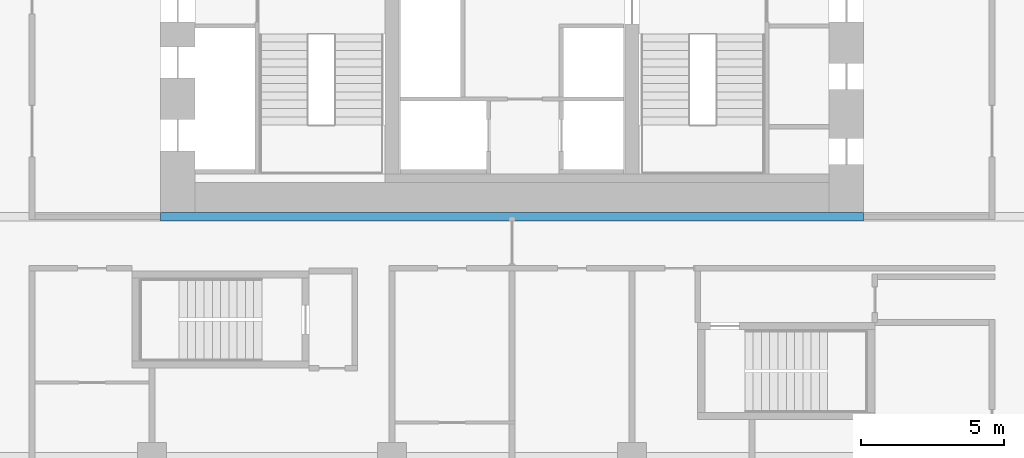
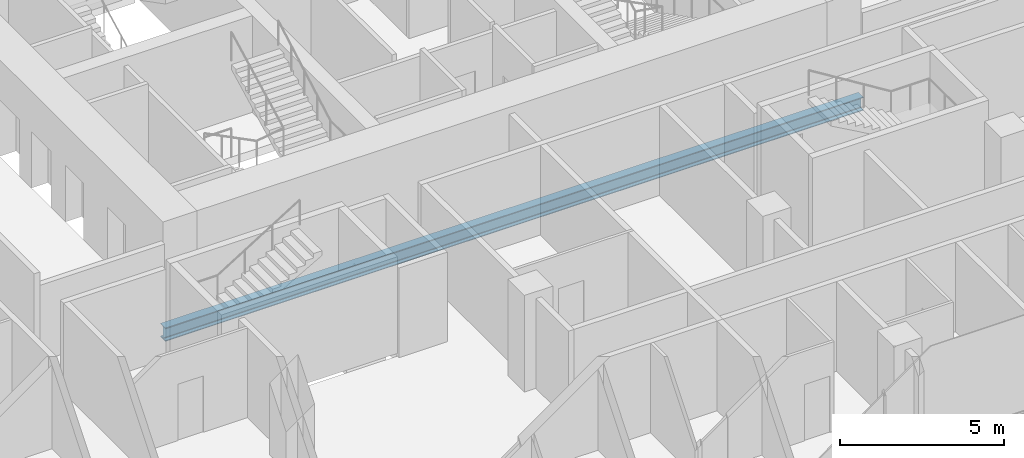
# One storey, part 5 of 26: 1 beam.
"""IFC4 building model written with IfcOpenShell, lengths in metres."""

from ifc_helpers import new_model, si_unit, direction, frame, origin, origin_2d, place, context, subcontext, project, spatial, i_section, extrude, material, material_profile, profile_set, type_object, element, save


model = new_model("IFC4")

# Units and contexts
model_context = context("Model", 3, precision=1e-05, world=origin(), true_north=direction((0.0, 1.0)))
body_context = subcontext(model_context, "Body", "Model", "MODEL_VIEW")
ifc_project = project(units=[si_unit("LENGTHUNIT", "METRE"), si_unit("AREAUNIT", "SQUARE_METRE"), si_unit("VOLUMEUNIT", "CUBIC_METRE"), si_unit("PLANEANGLEUNIT", "RADIAN"), si_unit("MASSUNIT", "GRAM", prefix="KILO")], contexts=[model_context])

# Site, building, storey
site_placement = place(None, origin())
site = spatial("IfcSite", under=ifc_project, at=site_placement, CompositionType="ELEMENT")
building_placement = place(site_placement, origin())
building = spatial("IfcBuilding", under=site, at=building_placement, Name="Marenta Gate Hotel Tower", CompositionType="ELEMENT")
storey_placement = place(building_placement, frame((0.0, 0.0, 43.699951171875)))
storey = spatial("IfcBuildingStorey", under=building, at=storey_placement, Name="L08", CompositionType="ELEMENT", Elevation=43.699951171875)

# Beam
ifc_material = material(Name="Steel S355", Category="steel")
ifc_material_profile = material_profile(ifc_material, i_section(OverallWidth=0.300048828125, OverallDepth=0.5, WebThickness=0.014404296875, FlangeThickness=0.028076171875, FilletRadius=0.027099609375, at=origin_2d()), Name="HEB 500")
ifc_profile_set = profile_set([ifc_material_profile], Name="Steel S355")
beam_type = type_object("IfcBeamType", Name="Girder HEB 500", PredefinedType="BEAM", material=ifc_profile_set)
beam_placement = place(storey_placement, frame((-12.300048828125, 0.0, -0.510009765625), z_axis=(1.0, 0.0, 0.0), x_axis=(0.0, 1.0, 0.0)))
element("IfcBeam", 1, at=beam_placement, inside=storey, type_object=beam_type, Name="L08-GD-10", PredefinedType="BEAM", context=body_context, shape_type="SweptSolid", body=[
    extrude(i_section(OverallWidth=0.300048828125, OverallDepth=0.5, WebThickness=0.014404296875, FlangeThickness=0.028076171875, FilletRadius=0.027099609375, at=origin_2d()), origin(), (0.0, 0.0, 1.0), 24.60009765625),
])

save(model, "model.ifc")
